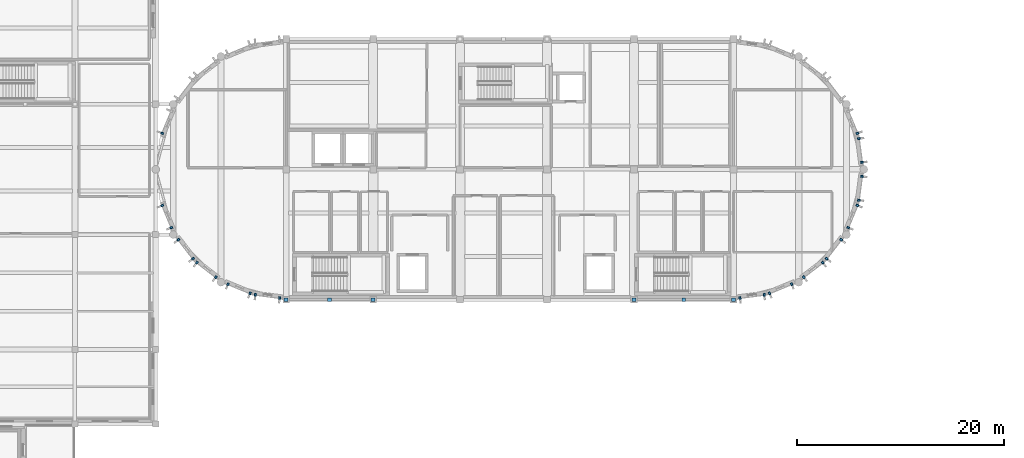
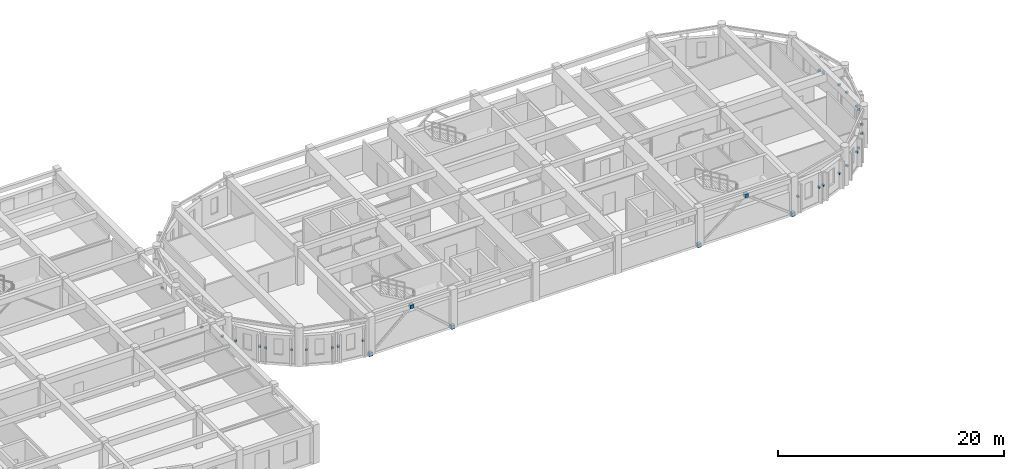
# One storey, part 20 of 31: 32 discrete accessories.
"""IFC4 building model written with IfcOpenShell, lengths in metres."""

import ifcopenshell
import ifcopenshell.guid

model = None  # the IFC model being written
_history = None  # IfcOwnerHistory: only IFC2X3 demands one
_inside = {}  # id of a spatial element -> (the spatial element, [elements in it])
_under = {}  # id of a project, library or spatial element -> (it, [spatial elements below it])
_declared = {}  # id of a project -> (the project, [libraries it declares])
_typed = {}  # id of a type object -> (the type object, [elements of that type])
_made_of = {}  # id of a material, layer set ... -> (it, [elements and type objects made of it])


def new_model(schema):
    """Start an empty IFC model of exactly this schema.

    Asked for "IFC4X3", IfcOpenShell would pick the latest addendum, in which some entities
    have other attributes; the version numbers below select the first issue.
    IFC2X3 requires an IfcOwnerHistory on every rooted entity: one is made here for all.
    """
    global model, _history
    if schema == "IFC4X3":
        model = ifcopenshell.file(schema_version=(4, 3, 0, 0))
    else:
        model = ifcopenshell.file(schema=schema)
    _inside.clear()
    _under.clear()
    _declared.clear()
    _typed.clear()
    _made_of.clear()
    _history = None
    if model.schema == "IFC2X3":
        org = make("IfcOrganization", Name="unknown")
        user = make(
            "IfcPersonAndOrganization",
            ThePerson=make("IfcPerson", FamilyName="unknown"),
            TheOrganization=org,
        )
        app = make(
            "IfcApplication",
            ApplicationDeveloper=org,
            Version="unknown",
            ApplicationFullName="unknown",
            ApplicationIdentifier="unknown",
        )
        _history = make(
            "IfcOwnerHistory",
            OwningUser=user,
            OwningApplication=app,
            ChangeAction="ADDED",
            CreationDate=0,
        )
    return model


def make(cls, **values):
    """One entity of the class cls with the attributes given. An attribute that is None is left unset."""
    return model.create_entity(
        cls, **{name: value for name, value in values.items() if value is not None}
    )


def rooted(cls, **values):
    """An entity with a GlobalId (a new one), such as an element, a storey or a relation."""
    return make(cls, GlobalId=ifcopenshell.guid.new(), OwnerHistory=_history, **values)


def si_unit(unit_type, name, prefix=None):
    """IfcSIUnit, for example si_unit("LENGTHUNIT", "METRE", prefix="MILLI")."""
    return make("IfcSIUnit", UnitType=unit_type, Prefix=prefix, Name=name)


def assignment(units):
    """IfcUnitAssignment: the units of a project."""
    return None if units is None else make("IfcUnitAssignment", Units=units)


def point(xyz):
    """IfcCartesianPoint."""
    return None if xyz is None else make("IfcCartesianPoint", Coordinates=xyz)


def direction(xyz):
    """IfcDirection."""
    return None if xyz is None else make("IfcDirection", DirectionRatios=xyz)


def frame(location, z_axis=None, x_axis=None):
    """IfcAxis2Placement3D, a coordinate frame: its origin and axes. An axis left out is left unset."""
    return make(
        "IfcAxis2Placement3D",
        Location=point(location),
        Axis=direction(z_axis),
        RefDirection=direction(x_axis),
    )


def frame_2d(location, x_axis=None):
    """IfcAxis2Placement2D, a coordinate frame in the plane: its origin and x axis."""
    return make(
        "IfcAxis2Placement2D", Location=point(location), RefDirection=direction(x_axis)
    )


def origin():
    """The frame at (0, 0, 0) with its axes left unset."""
    return frame((0.0, 0.0, 0.0))


def origin_2d():
    """The frame at (0, 0) in the plane with its x axis left unset."""
    return frame_2d((0.0, 0.0))


def place(relative_to, where):
    """IfcLocalPlacement: puts the frame where relative to a parent placement (None: the world)."""
    return make(
        "IfcLocalPlacement", PlacementRelTo=relative_to, RelativePlacement=where
    )


def context(
    kind, dimensions, precision=None, world=None, true_north=None, identifier=None
):
    """IfcGeometricRepresentationContext, for example the 3D "Model" context."""
    return make(
        "IfcGeometricRepresentationContext",
        ContextIdentifier=identifier,
        ContextType=kind,
        CoordinateSpaceDimension=dimensions,
        Precision=precision,
        WorldCoordinateSystem=world,
        TrueNorth=true_north,
    )


def subcontext(parent, identifier, kind, view, scale=None):
    """IfcGeometricRepresentationSubContext, for example "Body" below "Model"."""
    return make(
        "IfcGeometricRepresentationSubContext",
        ContextIdentifier=identifier,
        ContextType=kind,
        ParentContext=parent,
        TargetScale=scale,
        TargetView=view,
    )


def project(units=None, contexts=None):
    """IfcProject with its units and contexts."""
    return rooted(
        "IfcProject",
        Name="project",
        RepresentationContexts=contexts,
        UnitsInContext=assignment(units),
    )


def spatial(cls, under=None, at=None, **own):
    """A site, building, storey or space (cls), placed at a placement, below another one or the project."""
    s = rooted(cls, ObjectPlacement=at, **own)
    if under is not None:
        _under.setdefault(under.id(), (under, []))[1].append(s)
    return s


def profile(cls, at=None, kind="AREA", **sizes):
    """A parametric profile (cls). Its sizes go by their IFC names, for example OverallWidth=200.0."""
    return make(cls, ProfileType=kind, Position=at, **sizes)


def rectangle(**sizes):
    """IfcRectangleProfileDef."""
    return profile("IfcRectangleProfileDef", **sizes)


def extrude(swept, where, along, depth):
    """IfcExtrudedAreaSolid: the profile swept, set in the frame where, extruded along a direction by depth."""
    return make(
        "IfcExtrudedAreaSolid",
        SweptArea=swept,
        Position=where,
        ExtrudedDirection=direction(along),
        Depth=depth,
    )


def shape(context_of_items, identifier, shape_type, items):
    """IfcShapeRepresentation: the items that make up one representation, for example the "Body"."""
    return make(
        "IfcShapeRepresentation",
        ContextOfItems=context_of_items,
        RepresentationIdentifier=identifier,
        RepresentationType=shape_type,
        Items=items,
    )


def material(Name=None, Category=None):
    """IfcMaterial."""
    return make("IfcMaterial", Name=Name, Category=Category)


def made_of(thing, what):
    """Note that an element or type object is made of a material, layer set ...; save() writes the relation."""
    if what is not None:
        _made_of.setdefault(what.id(), (what, []))[1].append(thing)
    return thing


def type_object(cls, material=None, **own):
    """A type object (cls), such as IfcWallType, which elements share."""
    return made_of(rooted(cls, **own), material)


def element(
    cls,
    number,
    at=None,
    inside=None,
    cuts=None,
    type_object=None,
    material=None,
    context=None,
    identifier="Body",
    shape_type=None,
    held_by="IfcProductDefinitionShape",
    body=None,
    shapes=None,
    **own,
):
    """One element of the class cls, such as IfcWall. Its Tag is "e" and its number.

    at: its placement. inside: the storey or other place that contains it. cuts: it is an
    opening in that element (IfcRelVoidsElement). A single representation is given by context,
    identifier, shape_type and body (its items); several are given by shapes. held_by: the class
    of the entity that holds the representations. save() writes the other relations.
    """
    e = rooted(cls, Tag="e%d" % number, ObjectPlacement=at, **own)
    if body is not None:
        shapes = [shape(context, identifier, shape_type, body)]
    if shapes is not None:
        e.Representation = make(held_by, Representations=shapes)
    if inside is not None:
        _inside.setdefault(inside.id(), (inside, []))[1].append(e)
    if cuts is not None:
        rooted(
            "IfcRelVoidsElement", RelatingBuildingElement=cuts, RelatedOpeningElement=e
        )
    if type_object is not None:
        _typed.setdefault(type_object.id(), (type_object, []))[1].append(e)
    return made_of(e, material)


def aggregate(whole, parts):
    """IfcRelAggregates: a whole, such as a stair, and the parts it consists of."""
    return rooted("IfcRelAggregates", RelatingObject=whole, RelatedObjects=parts)


def save(model, path):
    """Write the relations noted so far, then the file.

    IfcRelAggregates (storeys below a building ...), IfcRelContainedInSpatialStructure (elements
    in a storey), IfcRelDefinesByType, IfcRelAssociatesMaterial and IfcRelDeclares: one each for
    every whole, place, type object, material and project.
    """
    for whole, parts in _under.values():
        aggregate(whole, parts)
    for where, things in _inside.values():
        rooted(
            "IfcRelContainedInSpatialStructure",
            RelatedElements=things,
            RelatingStructure=where,
        )
    for kind, things in _typed.values():
        rooted("IfcRelDefinesByType", RelatedObjects=things, RelatingType=kind)
    for what, things in _made_of.values():
        rooted("IfcRelAssociatesMaterial", RelatedObjects=things, RelatingMaterial=what)
    for by, libraries in _declared.values():
        rooted("IfcRelDeclares", RelatingContext=by, RelatedDefinitions=libraries)
    model.write(path)


model = new_model("IFC4")

# Units and contexts
model_context = context("Model", 3, precision=1e-05, world=origin(), true_north=direction((0.0, 1.0)))
body_context = subcontext(model_context, "Body", "Model", "MODEL_VIEW")
ifc_project = project(units=[si_unit("LENGTHUNIT", "METRE"), si_unit("AREAUNIT", "SQUARE_METRE"), si_unit("VOLUMEUNIT", "CUBIC_METRE"), si_unit("PLANEANGLEUNIT", "RADIAN"), si_unit("MASSUNIT", "GRAM", prefix="KILO")], contexts=[model_context])

# Site, building, storey
site_placement = place(None, origin())
site = spatial("IfcSite", under=ifc_project, at=site_placement, CompositionType="ELEMENT")
building_placement = place(site_placement, origin())
building = spatial("IfcBuilding", under=site, at=building_placement, Name="Tarnavel Promenade Courthouse", CompositionType="ELEMENT")
storey_placement = place(building_placement, frame((0.0, 0.0, 18.60009765625)))
storey = spatial("IfcBuildingStorey", under=building, at=storey_placement, Name="L05", CompositionType="ELEMENT", Elevation=18.60009765625)

# Discrete accessories
ifc_material = material(Name="Steel S355J2", Category="steel")
discrete_accessory_type_1 = type_object("IfcDiscreteAccessoryType", Name="Steel S355J2 Facade Pier Anchor Bracket", PredefinedType="BRACKET", material=ifc_material)
for number, where, z_axis, x_axis, name in (
    (1, (46.828857421875, 95.281494140625, 1.455078125), (0.0, 0.0, 1.0), (-0.382683432365, -0.923879532511, 0.0), "L05 Drum Pier Bracket 0144"),
    (2, (46.828857421875, 88.318603515625, 1.455078125), (0.0, 0.0, 1.0), (0.382683432365, -0.923879532511, 0.0), "L05 Drum Pier Bracket 0145"),
    (3, (47.714599609375, 86.180419921875, 1.455078125), (0.0, 0.0, 1.0), (0.382683432365, -0.923879532511, 0.0), "L05 Drum Pier Bracket 0146"),
    (4, (48.390380859375, 85.009521484375, 1.455078125), (0.0, 0.0, 1.0), (0.608761429009, -0.793353340291, 0.0), "L05 Drum Pier Bracket 0147"),
    (5, (49.79931640625, 83.173583984375, 1.455078125), (0.0, 0.0, 1.0), (0.608761429009, -0.793353340291, 0.0), "L05 Drum Pier Bracket 0148"),
    (6, (50.173583984375, 82.79931640625, 1.40478515625), (0.0, 0.0, 1.0), (0.793353340291, -0.608761429009, 0.0), "L05 Drum Pier Bracket 0149"),
    (7, (52.009521484375, 81.390380859375, 1.40478515625), (0.0, 0.0, 1.0), (0.793353340291, -0.608761429009, 0.0), "L05 Drum Pier Bracket 0150"),
    (8, (53.180419921875, 80.714599609375, 1.40478515625), (0.0, 0.0, 1.0), (0.923879532511, -0.382683432365, 0.0), "L05 Drum Pier Bracket 0151"),
    (9, (55.318603515625, 79.828857421875, 1.40478515625), (0.0, 0.0, 1.0), (0.923879532511, -0.382683432365, 0.0), "L05 Drum Pier Bracket 0152"),
    (10, (55.82958984375, 79.69189453125, 1.455078125), (0.0, 0.0, 1.0), (0.991444861374, -0.13052619222, 0.0), "L05 Drum Pier Bracket 0153"),
    (11, (58.173583984375, 79.38330078125, 1.455078125), (0.0, 0.0, 1.0), (0.991444861374, -0.13052619222, 0.0), "L05 Drum Pier Bracket 0154"),
    (12, (102.62646484375, 79.38330078125, 1.455078125), (0.0, 0.0, 1.0), (0.991444861374, 0.13052619222, 0.0), "L05 Drum Pier Bracket 0155"),
    (13, (104.970458984375, 79.69189453125, 1.455078125), (0.0, 0.0, 1.0), (0.991444861374, 0.13052619222, 0.0), "L05 Drum Pier Bracket 0156"),
    (14, (105.4814453125, 79.828857421875, 1.40478515625), (0.0, 0.0, 1.0), (0.923879532511, 0.382683432365, 0.0), "L05 Drum Pier Bracket 0157"),
    (15, (107.61962890625, 80.714599609375, 1.40478515625), (0.0, 0.0, 1.0), (0.923879532511, 0.382683432365, 0.0), "L05 Drum Pier Bracket 0158"),
    (16, (108.79052734375, 81.390380859375, 1.40478515625), (0.0, 0.0, 1.0), (0.793353340291, 0.608761429009, 0.0), "L05 Drum Pier Bracket 0159"),
    (17, (110.62646484375, 82.79931640625, 1.40478515625), (0.0, 0.0, 1.0), (0.793353340291, 0.608761429009, 0.0), "L05 Drum Pier Bracket 0160"),
    (18, (111.000732421875, 83.173583984375, 1.455078125), (0.0, 0.0, 1.0), (0.608761429009, 0.793353340291, 0.0), "L05 Drum Pier Bracket 0161"),
    (19, (112.409423828125, 85.009521484375, 1.455078125), (0.0, 0.0, 1.0), (0.608761429009, 0.793353340291, 0.0), "L05 Drum Pier Bracket 0162"),
    (20, (113.08544921875, 86.180419921875, 1.455078125), (0.0, 0.0, 1.0), (0.382683432365, 0.923879532511, 0.0), "L05 Drum Pier Bracket 0163"),
    (21, (113.97119140625, 88.318603515625, 1.455078125), (0.0, 0.0, 1.0), (0.382683432365, 0.923879532511, 0.0), "L05 Drum Pier Bracket 0164"),
    (22, (114.108154296875, 88.82958984375, 1.455078125), (0.0, 0.0, 1.0), (0.13052619222, 0.991444861374, 0.0), "L05 Drum Pier Bracket 0165"),
    (23, (114.41015625, 91.1240234375, 1.455078125), (0.0, 0.0, 1.0), (0.13052619222, 0.991444861374, 0.0), "L05 Drum Pier Bracket 0166"),
    (24, (114.41015625, 92.47607421875, 1.455078125), (0.0, 0.0, 1.0), (-0.13052619222, 0.991444861374, 0.0), "L05 Drum Pier Bracket 0167"),
    (25, (114.108154296875, 94.7705078125, 1.455078125), (0.0, 0.0, 1.0), (-0.13052619222, 0.991444861374, 0.0), "L05 Drum Pier Bracket 0168"),
    (26, (113.97119140625, 95.281494140625, 1.455078125), (0.0, 0.0, 1.0), (-0.382683432365, 0.923879532511, 0.0), "L05 Drum Pier Bracket 0169"),
):
    element("IfcDiscreteAccessory", number, at=place(storey_placement, frame(where, z_axis=z_axis, x_axis=x_axis)), inside=storey, type_object=discrete_accessory_type_1, Name=name, PredefinedType="BRACKET", context=body_context, shape_type="SweptSolid", body=[
        extrude(rectangle(XDim=0.199951171875, YDim=0.260009765625, at=origin_2d()), origin(), (0.0, 0.0, 1.0), 0.179931640625),
    ])
discrete_accessory_type_2 = type_object("IfcDiscreteAccessoryType", Name="Steel S355J2 Structural Connection Bracket", PredefinedType="BRACKET", material=ifc_material)
for number, where, z_axis, x_axis, name in (
    (27, (58.800048828125, 79.199951171875, -0.18994140625), (0.0, 0.0, 1.0), (1.0, 0.0, 0.0), "L05 V5 Chevron Brace Gusset Node 006-L"),
    (28, (63.0, 79.199951171875, 3.514892578125), (0.0, 0.0, 1.0), (1.0, 0.0, 0.0), "L05 V5 Chevron Brace Gusset Node 006-M"),
    (29, (67.199951171875, 79.199951171875, -0.18994140625), (0.0, 0.0, 1.0), (1.0, 0.0, 0.0), "L05 V5 Chevron Brace Gusset Node 006-R"),
    (30, (92.39990234375, 79.199951171875, -0.18994140625), (0.0, 0.0, 1.0), (1.0, 0.0, 0.0), "L05 V5 Chevron Brace Gusset Node 016-L"),
    (31, (97.199951171875, 79.199951171875, 3.514892578125), (0.0, 0.0, 1.0), (1.0, 0.0, 0.0), "L05 V5 Chevron Brace Gusset Node 016-M"),
    (32, (102.0, 79.199951171875, -0.18994140625), (0.0, 0.0, 1.0), (1.0, 0.0, 0.0), "L05 V5 Chevron Brace Gusset Node 016-R"),
):
    element("IfcDiscreteAccessory", number, at=place(storey_placement, frame(where, z_axis=z_axis, x_axis=x_axis)), inside=storey, type_object=discrete_accessory_type_2, Name=name, PredefinedType="BRACKET", context=body_context, shape_type="SweptSolid", body=[
        extrude(rectangle(XDim=0.3798828125, YDim=0.360107421875, at=origin_2d()), origin(), (0.0, 0.0, 1.0), 0.3798828125),
    ])

save(model, "model.ifc")
